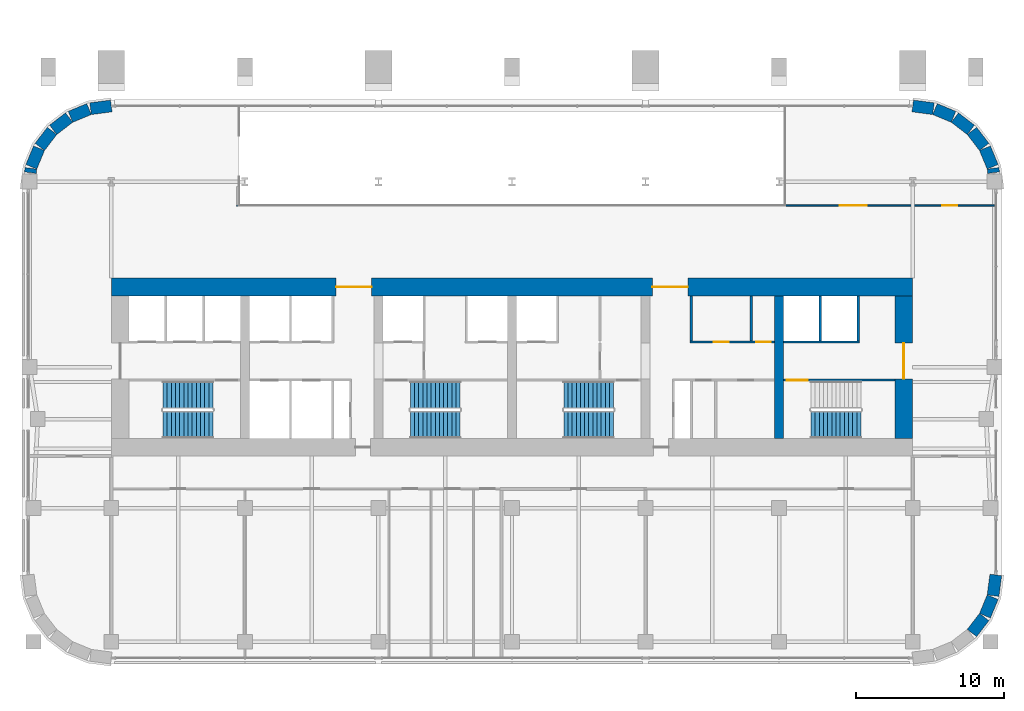
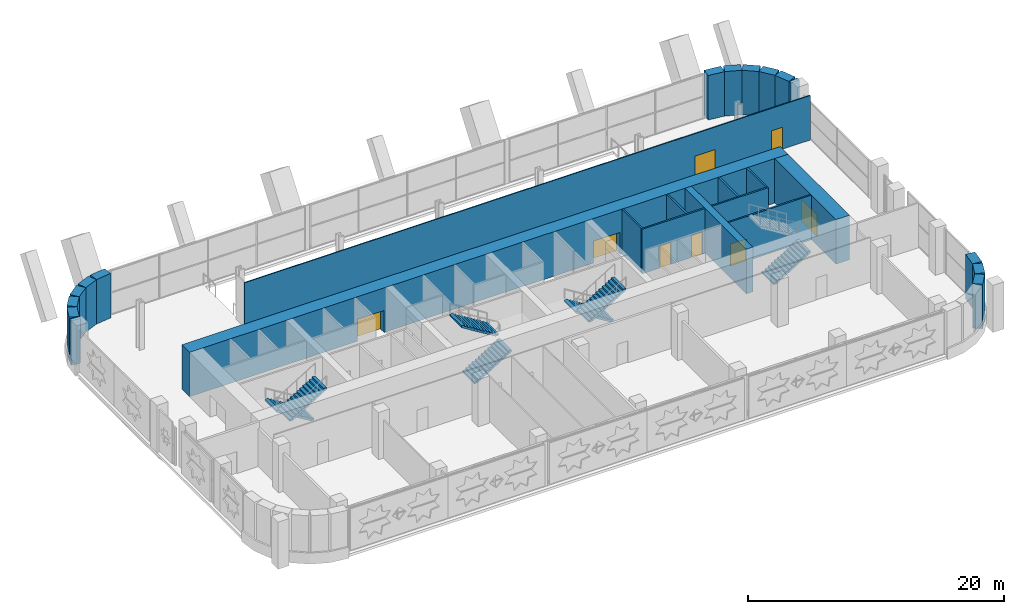
# One storey, part 15 of 21: 26 walls, 8 doors, 7 stair flights, 8 openings, 4 elements without a shape of their own.
"""IFC4 building model written with IfcOpenShell, lengths in metres."""

import ifcopenshell
import ifcopenshell.guid

model = None  # the IFC model being written
_history = None  # IfcOwnerHistory: only IFC2X3 demands one
_inside = {}  # id of a spatial element -> (the spatial element, [elements in it])
_under = {}  # id of a project, library or spatial element -> (it, [spatial elements below it])
_declared = {}  # id of a project -> (the project, [libraries it declares])
_typed = {}  # id of a type object -> (the type object, [elements of that type])
_made_of = {}  # id of a material, layer set ... -> (it, [elements and type objects made of it])


def new_model(schema):
    """Start an empty IFC model of exactly this schema.

    Asked for "IFC4X3", IfcOpenShell would pick the latest addendum, in which some entities
    have other attributes; the version numbers below select the first issue.
    IFC2X3 requires an IfcOwnerHistory on every rooted entity: one is made here for all.
    """
    global model, _history
    if schema == "IFC4X3":
        model = ifcopenshell.file(schema_version=(4, 3, 0, 0))
    else:
        model = ifcopenshell.file(schema=schema)
    _inside.clear()
    _under.clear()
    _declared.clear()
    _typed.clear()
    _made_of.clear()
    _history = None
    if model.schema == "IFC2X3":
        org = make("IfcOrganization", Name="unknown")
        user = make(
            "IfcPersonAndOrganization",
            ThePerson=make("IfcPerson", FamilyName="unknown"),
            TheOrganization=org,
        )
        app = make(
            "IfcApplication",
            ApplicationDeveloper=org,
            Version="unknown",
            ApplicationFullName="unknown",
            ApplicationIdentifier="unknown",
        )
        _history = make(
            "IfcOwnerHistory",
            OwningUser=user,
            OwningApplication=app,
            ChangeAction="ADDED",
            CreationDate=0,
        )
    return model


def make(cls, **values):
    """One entity of the class cls with the attributes given. An attribute that is None is left unset."""
    return model.create_entity(
        cls, **{name: value for name, value in values.items() if value is not None}
    )


def rooted(cls, **values):
    """An entity with a GlobalId (a new one), such as an element, a storey or a relation."""
    return make(cls, GlobalId=ifcopenshell.guid.new(), OwnerHistory=_history, **values)


def si_unit(unit_type, name, prefix=None):
    """IfcSIUnit, for example si_unit("LENGTHUNIT", "METRE", prefix="MILLI")."""
    return make("IfcSIUnit", UnitType=unit_type, Prefix=prefix, Name=name)


def assignment(units):
    """IfcUnitAssignment: the units of a project."""
    return None if units is None else make("IfcUnitAssignment", Units=units)


def point(xyz):
    """IfcCartesianPoint."""
    return None if xyz is None else make("IfcCartesianPoint", Coordinates=xyz)


def direction(xyz):
    """IfcDirection."""
    return None if xyz is None else make("IfcDirection", DirectionRatios=xyz)


def frame(location, z_axis=None, x_axis=None):
    """IfcAxis2Placement3D, a coordinate frame: its origin and axes. An axis left out is left unset."""
    return make(
        "IfcAxis2Placement3D",
        Location=point(location),
        Axis=direction(z_axis),
        RefDirection=direction(x_axis),
    )


def frame_2d(location, x_axis=None):
    """IfcAxis2Placement2D, a coordinate frame in the plane: its origin and x axis."""
    return make(
        "IfcAxis2Placement2D", Location=point(location), RefDirection=direction(x_axis)
    )


def origin():
    """The frame at (0, 0, 0) with its axes left unset."""
    return frame((0.0, 0.0, 0.0))


def place(relative_to, where):
    """IfcLocalPlacement: puts the frame where relative to a parent placement (None: the world)."""
    return make(
        "IfcLocalPlacement", PlacementRelTo=relative_to, RelativePlacement=where
    )


def context(
    kind, dimensions, precision=None, world=None, true_north=None, identifier=None
):
    """IfcGeometricRepresentationContext, for example the 3D "Model" context."""
    return make(
        "IfcGeometricRepresentationContext",
        ContextIdentifier=identifier,
        ContextType=kind,
        CoordinateSpaceDimension=dimensions,
        Precision=precision,
        WorldCoordinateSystem=world,
        TrueNorth=true_north,
    )


def subcontext(parent, identifier, kind, view, scale=None):
    """IfcGeometricRepresentationSubContext, for example "Body" below "Model"."""
    return make(
        "IfcGeometricRepresentationSubContext",
        ContextIdentifier=identifier,
        ContextType=kind,
        ParentContext=parent,
        TargetScale=scale,
        TargetView=view,
    )


def project(units=None, contexts=None):
    """IfcProject with its units and contexts."""
    return rooted(
        "IfcProject",
        Name="project",
        RepresentationContexts=contexts,
        UnitsInContext=assignment(units),
    )


def spatial(cls, under=None, at=None, **own):
    """A site, building, storey or space (cls), placed at a placement, below another one or the project."""
    s = rooted(cls, ObjectPlacement=at, **own)
    if under is not None:
        _under.setdefault(under.id(), (under, []))[1].append(s)
    return s


def polyline(points):
    """IfcPolyline through the points."""
    return make("IfcPolyline", Points=[point(p) for p in points])


def profile(cls, at=None, kind="AREA", **sizes):
    """A parametric profile (cls). Its sizes go by their IFC names, for example OverallWidth=200.0."""
    return make(cls, ProfileType=kind, Position=at, **sizes)


def rectangle(**sizes):
    """IfcRectangleProfileDef."""
    return profile("IfcRectangleProfileDef", **sizes)


def outline(outer, holes=None, kind="AREA"):
    """IfcArbitraryClosedProfileDef: a profile drawn as a closed curve; with holes, ...WithVoids."""
    if holes is None:
        return make("IfcArbitraryClosedProfileDef", ProfileType=kind, OuterCurve=outer)
    return make(
        "IfcArbitraryProfileDefWithVoids",
        ProfileType=kind,
        OuterCurve=outer,
        InnerCurves=holes,
    )


def extrude(swept, where, along, depth):
    """IfcExtrudedAreaSolid: the profile swept, set in the frame where, extruded along a direction by depth."""
    return make(
        "IfcExtrudedAreaSolid",
        SweptArea=swept,
        Position=where,
        ExtrudedDirection=direction(along),
        Depth=depth,
    )


def shape(context_of_items, identifier, shape_type, items):
    """IfcShapeRepresentation: the items that make up one representation, for example the "Body"."""
    return make(
        "IfcShapeRepresentation",
        ContextOfItems=context_of_items,
        RepresentationIdentifier=identifier,
        RepresentationType=shape_type,
        Items=items,
    )


def material(Name=None, Category=None):
    """IfcMaterial."""
    return make("IfcMaterial", Name=Name, Category=Category)


def layer(
    of_material, thickness, ventilated=None, Name=None, Category=None, Priority=None
):
    """IfcMaterialLayer: one layer of a wall or slab, of a material (None: an air gap)."""
    return make(
        "IfcMaterialLayer",
        Material=of_material,
        LayerThickness=thickness,
        IsVentilated=ventilated,
        Name=Name,
        Category=Category,
        Priority=Priority,
    )


def layer_set(layers, Name=None):
    """IfcMaterialLayerSet."""
    return make("IfcMaterialLayerSet", MaterialLayers=layers, LayerSetName=Name)


def made_of(thing, what):
    """Note that an element or type object is made of a material, layer set ...; save() writes the relation."""
    if what is not None:
        _made_of.setdefault(what.id(), (what, []))[1].append(thing)
    return thing


def type_object(cls, material=None, **own):
    """A type object (cls), such as IfcWallType, which elements share."""
    return made_of(rooted(cls, **own), material)


def element(
    cls,
    number,
    at=None,
    inside=None,
    cuts=None,
    type_object=None,
    material=None,
    context=None,
    identifier="Body",
    shape_type=None,
    held_by="IfcProductDefinitionShape",
    body=None,
    shapes=None,
    **own,
):
    """One element of the class cls, such as IfcWall. Its Tag is "e" and its number.

    at: its placement. inside: the storey or other place that contains it. cuts: it is an
    opening in that element (IfcRelVoidsElement). A single representation is given by context,
    identifier, shape_type and body (its items); several are given by shapes. held_by: the class
    of the entity that holds the representations. save() writes the other relations.
    """
    e = rooted(cls, Tag="e%d" % number, ObjectPlacement=at, **own)
    if body is not None:
        shapes = [shape(context, identifier, shape_type, body)]
    if shapes is not None:
        e.Representation = make(held_by, Representations=shapes)
    if inside is not None:
        _inside.setdefault(inside.id(), (inside, []))[1].append(e)
    if cuts is not None:
        rooted(
            "IfcRelVoidsElement", RelatingBuildingElement=cuts, RelatedOpeningElement=e
        )
    if type_object is not None:
        _typed.setdefault(type_object.id(), (type_object, []))[1].append(e)
    return made_of(e, material)


def fill(opening, filler):
    """IfcRelFillsElement: the door or window that sits in an opening."""
    return rooted(
        "IfcRelFillsElement",
        RelatingOpeningElement=opening,
        RelatedBuildingElement=filler,
    )


def aggregate(whole, parts):
    """IfcRelAggregates: a whole, such as a stair, and the parts it consists of."""
    return rooted("IfcRelAggregates", RelatingObject=whole, RelatedObjects=parts)


def save(model, path):
    """Write the relations noted so far, then the file.

    IfcRelAggregates (storeys below a building ...), IfcRelContainedInSpatialStructure (elements
    in a storey), IfcRelDefinesByType, IfcRelAssociatesMaterial and IfcRelDeclares: one each for
    every whole, place, type object, material and project.
    """
    for whole, parts in _under.values():
        aggregate(whole, parts)
    for where, things in _inside.values():
        rooted(
            "IfcRelContainedInSpatialStructure",
            RelatedElements=things,
            RelatingStructure=where,
        )
    for kind, things in _typed.values():
        rooted("IfcRelDefinesByType", RelatedObjects=things, RelatingType=kind)
    for what, things in _made_of.values():
        rooted("IfcRelAssociatesMaterial", RelatedObjects=things, RelatingMaterial=what)
    for by, libraries in _declared.values():
        rooted("IfcRelDeclares", RelatingContext=by, RelatedDefinitions=libraries)
    model.write(path)


model = new_model("IFC4")

# Units and contexts
model_context = context("Model", 3, precision=1e-05, world=origin(), true_north=direction((0.0, 1.0)))
body_context = subcontext(model_context, "Body", "Model", "MODEL_VIEW")
ifc_project = project(units=[si_unit("LENGTHUNIT", "METRE"), si_unit("AREAUNIT", "SQUARE_METRE"), si_unit("VOLUMEUNIT", "CUBIC_METRE"), si_unit("PLANEANGLEUNIT", "RADIAN"), si_unit("MASSUNIT", "GRAM", prefix="KILO")], contexts=[model_context])

# Site, building, storey
site_placement = place(None, origin())
site = spatial("IfcSite", under=ifc_project, at=site_placement, CompositionType="ELEMENT")
building_placement = place(site_placement, origin())
building = spatial("IfcBuilding", under=site, at=building_placement, Name="Zellij Exchange Tower", CompositionType="ELEMENT")
storey_placement = place(building_placement, frame((0.0, 0.0, 43.5)))
storey = spatial("IfcBuildingStorey", under=building, at=storey_placement, Name="L07", CompositionType="ELEMENT", Elevation=43.5)

# Walls
ifc_material_1 = material(Name="Concrete C70/85", Category="concrete")
ifc_layer_1 = layer(ifc_material_1, 0.60009765625)
ifc_layer_set_1 = layer_set([ifc_layer_1], Name="Concrete C70/85")
wall_type_1 = type_object("IfcWallType", Name="CORE-CW 600 C70/85", PredefinedType="SHEAR", material=ifc_layer_set_1)
wall_1_placement = place(storey_placement, frame((18.0, -12.800048828125, 0.0), z_axis=(0.0, 0.0, 1.0), x_axis=(0.0, 1.0, 0.0)))
element("IfcWall", 1, at=wall_1_placement, inside=storey, type_object=wall_type_1, Name="Core cross wall x 18 L07", PredefinedType="SHEAR", context=body_context, shape_type="SweptSolid", body=[
    extrude(rectangle(XDim=9.60009765625, YDim=0.60009765625, at=frame_2d((4.800048828125, 0.0))), origin(), (0.0, 0.0, 1.0), 4.25),
])
ifc_material_2 = material(Name="Gypsum board partition")
ifc_layer_2 = layer(ifc_material_2, 0.14990234375)
ifc_layer_set_2 = layer_set([ifc_layer_2], Name="Gypsum board partition")
wall_type_2 = type_object("IfcWallType", Name="CORE-PW 150 Lift lobby wall", PredefinedType="PARTITIONING", material=ifc_layer_set_2)
for number, where, z_axis, x_axis, name in (
    (2, (12.074951171875, -6.22509765625, 0.0), (0.0, 0.0, 1.0), (0.0, 1.0, 0.0), "Lift lobby wall L07"),
    (3, (16.125, -6.22509765625, 0.0), (0.0, 0.0, 1.0), (0.0, 1.0, 0.0), "Lift lobby wall L07"),
):
    element("IfcWall", number, at=place(storey_placement, frame(where, z_axis=z_axis, x_axis=x_axis)), inside=storey, type_object=wall_type_2, Name=name, PredefinedType="PARTITIONING", context=body_context, shape_type="SweptSolid", body=[
        extrude(rectangle(XDim=3.025146484375, YDim=0.14990234375, at=frame_2d((1.5126953125, 0.0))), origin(), (0.0, 0.0, 1.0), 4.25),
    ])

# Wall, openings, doors
wall_2_placement = place(storey_placement, frame((12.0, -6.300048828125, 0.0), z_axis=(0.0, 0.0, 1.0), x_axis=(1.0, 0.0, 0.0)))
wall_2 = element("IfcWall", 4, at=wall_2_placement, inside=storey, type_object=wall_type_2, Name="Lift lobby wall L07", PredefinedType="PARTITIONING", context=body_context, shape_type="SweptSolid", body=[
    extrude(rectangle(XDim=5.699951171875, YDim=0.14990234375, at=frame_2d((2.85009765625, 0.0))), origin(), (0.0, 0.0, 1.0), 4.25),
])
opening_1_placement = place(wall_2_placement, frame((1.60009765625, 0.0, 0.0)))
opening_1 = element("IfcOpeningElement", 5, at=opening_1_placement, cuts=wall_2, Name="Opening CA-06.24", PredefinedType="OPENING", context=body_context, shape_type="SweptSolid", body=[
    extrude(rectangle(XDim=1.0, YDim=2.10009765625, at=frame_2d((0.5, 1.050048828125))), frame((0.0, 0.0869140625, 0.0), z_axis=(0.0, -1.0, 0.0), x_axis=(1.0, 0.0, 0.0)), (0.0, 0.0, 1.0), 0.173828125),
])
opening_2_placement = place(wall_2_placement, frame((4.449951171875, 0.0, 0.0)))
opening_2 = element("IfcOpeningElement", 6, at=opening_2_placement, cuts=wall_2, Name="Opening CA-06.26", PredefinedType="OPENING", context=body_context, shape_type="SweptSolid", body=[
    extrude(rectangle(XDim=1.0, YDim=2.10009765625, at=frame_2d((0.5, 1.050048828125))), frame((0.0, 0.0869140625, 0.0), z_axis=(0.0, -1.0, 0.0), x_axis=(1.0, 0.0, 0.0)), (0.0, 0.0, 1.0), 0.173828125),
])
ifc_material_3 = material(Name="Hollow metal fire door")
door_type_1 = type_object("IfcDoorType", Name="CORE-D CD Core room door 1000x2100 1 HR", OperationType="NOTDEFINED", PredefinedType="DOOR", material=ifc_material_3)
door_1_placement = place(opening_1_placement, origin())
door_1 = element("IfcDoor", 7, at=door_1_placement, inside=storey, type_object=door_type_1, Name="Core room door CA-06.24", OperationType="SINGLE_SWING_LEFT", OverallHeight=2.10009765625, OverallWidth=1.0, PredefinedType="DOOR", context=body_context, shape_type="SweptSolid", body=[
    extrude(rectangle(XDim=1.0, YDim=2.10009765625, at=frame_2d((0.5, 1.050048828125))), frame((0.0, 0.02490234375, 0.0), z_axis=(0.0, -1.0, 0.0), x_axis=(1.0, 0.0, 0.0)), (0.0, 0.0, 1.0), 0.050048828125),
])
fill(opening_1, door_1)
door_2_placement = place(opening_2_placement, origin())
door_2 = element("IfcDoor", 8, at=door_2_placement, inside=storey, type_object=door_type_1, Name="Core room door CA-06.26", OperationType="SINGLE_SWING_RIGHT", OverallHeight=2.10009765625, OverallWidth=1.0, PredefinedType="DOOR", context=body_context, shape_type="SweptSolid", body=[
    extrude(rectangle(XDim=1.0, YDim=2.10009765625, at=frame_2d((0.5, 1.050048828125))), frame((0.0, 0.02490234375, 0.0), z_axis=(0.0, -1.0, 0.0), x_axis=(1.0, 0.0, 0.0)), (0.0, 0.0, 1.0), 0.050048828125),
])
fill(opening_2, door_2)

# Walls
ifc_material_4 = material(Name="Gypsum shaft wall system")
ifc_layer_3 = layer(ifc_material_4, 0.14990234375)
ifc_layer_set_3 = layer_set([ifc_layer_3], Name="Gypsum shaft wall system")
wall_type_3 = type_object("IfcWallType", Name="CORE-PW 150 Lift shaft wall", PredefinedType="PARTITIONING", material=ifc_layer_set_3)
for number, where, z_axis, x_axis, name in (
    (9, (20.77490234375, -6.22509765625, 0.0), (0.0, 0.0, 1.0), (0.0, 1.0, 0.0), "Lift shaft wall L07"),
    (10, (23.324951171875, -6.22509765625, 0.0), (0.0, 0.0, 1.0), (0.0, 1.0, 0.0), "Lift shaft wall L07"),
):
    element("IfcWall", number, at=place(storey_placement, frame(where, z_axis=z_axis, x_axis=x_axis)), inside=storey, type_object=wall_type_3, Name=name, PredefinedType="PARTITIONING", context=body_context, shape_type="SweptSolid", body=[
        extrude(rectangle(XDim=3.025146484375, YDim=0.14990234375, at=frame_2d((1.5126953125, 0.0))), origin(), (0.0, 0.0, 1.0), 4.25),
    ])
wall_3_placement = place(storey_placement, frame((18.300048828125, -6.300048828125, 0.0), z_axis=(0.0, 0.0, 1.0), x_axis=(1.0, 0.0, 0.0)))
element("IfcWall", 11, at=wall_3_placement, inside=storey, type_object=wall_type_3, Name="Lift shaft wall L07", PredefinedType="PARTITIONING", context=body_context, shape_type="SweptSolid", body=[
    extrude(rectangle(XDim=5.099853515625, YDim=0.14990234375, at=frame_2d((2.5498046875, 0.0))), origin(), (0.0, 0.0, 1.0), 4.25),
])

# Wall, openings, doors
ifc_layer_4 = layer(ifc_material_1, 1.199951171875)
ifc_layer_set_4 = layer_set([ifc_layer_4], Name="Concrete C70/85")
wall_type_4 = type_object("IfcWallType", Name="CORE-SW 1200 C70/85", PredefinedType="SHEAR", material=ifc_layer_set_4)
wall_4_placement = place(storey_placement, frame((-27.0, -2.60009765625, 0.0), z_axis=(0.0, 0.0, 1.0), x_axis=(1.0, 0.0, 0.0)))
wall_4 = element("IfcWall", 12, at=wall_4_placement, inside=storey, type_object=wall_type_4, Name="Core shear wall front L07", PredefinedType="SHEAR", context=body_context, shape_type="SweptSolid", body=[
    extrude(rectangle(XDim=54.0, YDim=1.199951171875, at=frame_2d((27.0, 0.0))), origin(), (0.0, 0.0, 1.0), 4.25),
])
opening_3_placement = place(wall_4_placement, frame((15.14990234375, 0.0, 0.0)))
opening_3 = element("IfcOpeningElement", 13, at=opening_3_placement, cuts=wall_4, Name="Opening CA-06.11", PredefinedType="OPENING", context=body_context, shape_type="SweptSolid", body=[
    extrude(rectangle(XDim=2.39990234375, YDim=2.10009765625, at=frame_2d((1.199951171875, 1.050048828125))), frame((0.0, 0.61181640625, 0.0), z_axis=(0.0, -1.0, 0.0), x_axis=(1.0, 0.0, 0.0)), (0.0, 0.0, 1.0), 1.223876953125),
])
opening_4_placement = place(wall_4_placement, frame((36.449951171875, 0.0, 0.0)))
opening_4 = element("IfcOpeningElement", 14, at=opening_4_placement, cuts=wall_4, Name="Opening CA-06.21", PredefinedType="OPENING", context=body_context, shape_type="SweptSolid", body=[
    extrude(rectangle(XDim=2.39990234375, YDim=2.10009765625, at=frame_2d((1.199951171875, 1.050048828125))), frame((0.0, 0.61181640625, 0.0), z_axis=(0.0, -1.0, 0.0), x_axis=(1.0, 0.0, 0.0)), (0.0, 0.0, 1.0), 1.223876953125),
])
door_type_2 = type_object("IfcDoorType", Name="CORE-D CE Core entrance door 2400x2100 20 MIN", OperationType="NOTDEFINED", PredefinedType="DOOR", material=ifc_material_3)
door_3_placement = place(opening_3_placement, origin())
door_3 = element("IfcDoor", 15, at=door_3_placement, inside=storey, type_object=door_type_2, Name="Core entrance door CA-06.11", OperationType="DOUBLE_DOOR_SINGLE_SWING", OverallHeight=2.10009765625, OverallWidth=2.39990234375, PredefinedType="DOOR", context=body_context, shape_type="SweptSolid", body=[
    extrude(rectangle(XDim=2.39990234375, YDim=2.10009765625, at=frame_2d((1.199951171875, 1.050048828125))), frame((0.0, 0.02490234375, 0.0), z_axis=(0.0, -1.0, 0.0), x_axis=(1.0, 0.0, 0.0)), (0.0, 0.0, 1.0), 0.050048828125),
])
fill(opening_3, door_3)
door_4_placement = place(opening_4_placement, origin())
door_4 = element("IfcDoor", 16, at=door_4_placement, inside=storey, type_object=door_type_2, Name="Core entrance door CA-06.21", OperationType="DOUBLE_DOOR_SINGLE_SWING", OverallHeight=2.10009765625, OverallWidth=2.39990234375, PredefinedType="DOOR", context=body_context, shape_type="SweptSolid", body=[
    extrude(rectangle(XDim=2.39990234375, YDim=2.10009765625, at=frame_2d((1.199951171875, 1.050048828125))), frame((0.0, 0.02490234375, 0.0), z_axis=(0.0, -1.0, 0.0), x_axis=(1.0, 0.0, 0.0)), (0.0, 0.0, 1.0), 0.050048828125),
])
fill(opening_4, door_4)

# Wall, opening, door
wall_5_placement = place(storey_placement, frame((26.39990234375, -12.800048828125, 0.0), z_axis=(0.0, 0.0, 1.0), x_axis=(0.0, 1.0, 0.0)))
wall_5 = element("IfcWall", 17, at=wall_5_placement, inside=storey, type_object=wall_type_4, Name="Core shear wall end e L07", PredefinedType="SHEAR", context=body_context, shape_type="SweptSolid", body=[
    extrude(rectangle(XDim=9.60009765625, YDim=1.199951171875, at=frame_2d((4.800048828125, 0.0))), origin(), (0.0, 0.0, 1.0), 4.25),
])
opening_5_placement = place(wall_5_placement, frame((4.011962890625, 0.0, 0.0)))
opening_5 = element("IfcOpeningElement", 18, at=opening_5_placement, cuts=wall_5, Name="Opening CA-06.28", PredefinedType="OPENING", context=body_context, shape_type="SweptSolid", body=[
    extrude(rectangle(XDim=2.39990234375, YDim=2.10009765625, at=frame_2d((1.199951171875, 1.050048828125))), frame((0.0, 0.61181640625, 0.0), z_axis=(0.0, -1.0, 0.0), x_axis=(1.0, 0.0, 0.0)), (0.0, 0.0, 1.0), 1.223876953125),
])
door_5_placement = place(opening_5_placement, origin())
door_5 = element("IfcDoor", 19, at=door_5_placement, inside=storey, type_object=door_type_2, Name="Core entrance door CA-06.28", OperationType="DOUBLE_DOOR_SINGLE_SWING", OverallHeight=2.10009765625, OverallWidth=2.39990234375, PredefinedType="DOOR", context=body_context, shape_type="SweptSolid", body=[
    extrude(rectangle(XDim=2.39990234375, YDim=2.10009765625, at=frame_2d((1.199951171875, 1.050048828125))), frame((0.0, 0.02490234375, 0.0), z_axis=(0.0, -1.0, 0.0), x_axis=(1.0, 0.0, 0.0)), (0.0, 0.0, 1.0), 0.050048828125),
])
fill(opening_5, door_5)

ifc_layer_5 = layer(ifc_material_1, 0.14990234375)
ifc_layer_set_5 = layer_set([ifc_layer_5], Name="Concrete C70/85")
wall_type_5 = type_object("IfcWallType", Name="CORE-SWS 150 C70/85", PredefinedType="SHEAR", material=ifc_layer_set_5)
wall_6_placement = place(storey_placement, frame((18.300048828125, -8.875, 0.0), z_axis=(0.0, 0.0, 1.0), x_axis=(1.0, 0.0, 0.0)))
wall_6 = element("IfcWall", 20, at=wall_6_placement, inside=storey, type_object=wall_type_5, Name="Stair enclosure wall L07", PredefinedType="SHEAR", context=body_context, shape_type="SweptSolid", body=[
    extrude(rectangle(XDim=7.5, YDim=0.14990234375, at=frame_2d((3.75, 0.0))), origin(), (0.0, 0.0, 1.0), 4.25),
])
opening_6_placement = place(wall_6_placement, frame((0.22509765625, 0.0, 0.0)))
opening_6 = element("IfcOpeningElement", 21, at=opening_6_placement, cuts=wall_6, Name="Opening CA-06.27", PredefinedType="OPENING", context=body_context, shape_type="SweptSolid", body=[
    extrude(rectangle(XDim=1.39990234375, YDim=2.10009765625, at=frame_2d((0.699951171875, 1.050048828125))), frame((0.0, 0.0869140625, 0.0), z_axis=(0.0, -1.0, 0.0), x_axis=(1.0, 0.0, 0.0)), (0.0, 0.0, 1.0), 0.173828125),
])
door_type_3 = type_object("IfcDoorType", Name="CORE-D SD Stair door 1400x2100 1.5 HR", OperationType="NOTDEFINED", PredefinedType="DOOR", material=ifc_material_3)
door_6_placement = place(opening_6_placement, origin())
door_6 = element("IfcDoor", 22, at=door_6_placement, inside=storey, type_object=door_type_3, Name="Stair door CA-06.27", OperationType="DOUBLE_DOOR_SINGLE_SWING", OverallHeight=2.10009765625, OverallWidth=1.39990234375, PredefinedType="DOOR", context=body_context, shape_type="SweptSolid", body=[
    extrude(rectangle(XDim=1.39990234375, YDim=2.10009765625, at=frame_2d((0.699951171875, 1.050048828125))), frame((0.0, 0.02490234375, 0.0), z_axis=(0.0, -1.0, 0.0), x_axis=(1.0, 0.0, 0.0)), (0.0, 0.0, 1.0), 0.050048828125),
])
fill(opening_6, door_6)

# Walls
ifc_material_5 = material(Name="Precast concrete C40/50", Category="concrete")
ifc_layer_6 = layer(ifc_material_5, 0.800048828125)
ifc_layer_set_6 = layer_set([ifc_layer_6], Name="Precast concrete C40/50")
wall_type_6 = type_object("IfcWallType", Name="ENV-EW1 Precast stone-piered wall 800", PredefinedType="SOLIDWALL", material=ifc_layer_set_6)
wall_7_placement = place(storey_placement, frame((30.9892578125, -25.91552734375, 0.0), z_axis=(0.0, 0.0, 1.0), x_axis=(0.608866226366, 0.793272915452, 0.0)))
element("IfcWall", 23, at=wall_7_placement, inside=storey, type_object=wall_type_6, Name="fac.L07.04", PredefinedType="SOLIDWALL", context=body_context, shape_type="SweptSolid", body=[
    extrude(rectangle(XDim=1.355712890625, YDim=0.800048828125, at=frame_2d((0.677734375, 0.0))), origin(), (0.0, 0.0, 1.0), 4.25),
])
wall_8_placement = place(storey_placement, frame((31.866943359375, -24.74951171875, 0.0), z_axis=(0.0, 0.0, 1.0), x_axis=(0.38276009378, 0.923847774587, 0.0)))
element("IfcWall", 24, at=wall_8_placement, inside=storey, type_object=wall_type_6, Name="fac.L07.05", PredefinedType="SOLIDWALL", context=body_context, shape_type="SweptSolid", body=[
    extrude(rectangle(XDim=1.35546875, YDim=0.800048828125, at=frame_2d((0.677734375, 0.0))), origin(), (0.0, 0.0, 1.0), 4.25),
])
wall_9_placement = place(storey_placement, frame((32.412841796875, -23.396240234375, 0.0), z_axis=(0.0, 0.0, 1.0), x_axis=(0.130517283865, 0.99144603414, 0.0)))
element("IfcWall", 25, at=wall_9_placement, inside=storey, type_object=wall_type_6, Name="fac.L07.06", PredefinedType="SOLIDWALL", context=body_context, shape_type="SweptSolid", body=[
    extrude(rectangle(XDim=1.408447265625, YDim=0.800048828125, at=frame_2d((0.7041015625, 0.0))), origin(), (0.0, 0.0, 1.0), 4.25),
])
wall_10_placement = place(storey_placement, frame((32.451416015625, 5.101806640625, 0.0), z_axis=(0.0, 0.0, 1.0), x_axis=(-0.129901534033, 0.991526899008, 0.0)))
element("IfcWall", 26, at=wall_10_placement, inside=storey, type_object=wall_type_6, Name="fac.L07.08", PredefinedType="SOLIDWALL", context=body_context, shape_type="SweptSolid", body=[
    extrude(rectangle(XDim=0.296875, YDim=0.800048828125, at=frame_2d((0.1484375, 0.0))), origin(), (0.0, 0.0, 1.0), 4.25),
])
wall_11_placement = place(storey_placement, frame((32.3857421875, 5.497314453125, 0.0), z_axis=(0.0, 0.0, 1.0), x_axis=(-0.38276009378, 0.923847774587, 0.0)))
element("IfcWall", 27, at=wall_11_placement, inside=storey, type_object=wall_type_6, Name="fac.L07.09", PredefinedType="SOLIDWALL", context=body_context, shape_type="SweptSolid", body=[
    extrude(rectangle(XDim=1.35546875, YDim=0.800048828125, at=frame_2d((0.677734375, 0.0))), origin(), (0.0, 0.0, 1.0), 4.25),
])
for number, where, z_axis, x_axis, name in (
    (28, (31.814697265625, 6.840087890625, 0.0), (0.0, 0.0, 1.0), (-0.608866226366, 0.793272915452, 0.0), "fac.L07.10"),
    (29, (30.91552734375, 7.9892578125, 0.0), (0.0, 0.0, 1.0), (-0.793272915452, 0.608866226366, 0.0), "fac.L07.11"),
):
    element("IfcWall", number, at=place(storey_placement, frame(where, z_axis=z_axis, x_axis=x_axis)), inside=storey, type_object=wall_type_6, Name=name, PredefinedType="SOLIDWALL", context=body_context, shape_type="SweptSolid", body=[
        extrude(rectangle(XDim=1.355712890625, YDim=0.800048828125, at=frame_2d((0.677734375, 0.0))), origin(), (0.0, 0.0, 1.0), 4.25),
    ])
wall_12_placement = place(storey_placement, frame((29.74951171875, 8.866943359375, 0.0), z_axis=(0.0, 0.0, 1.0), x_axis=(-0.923847774587, 0.38276009378, 0.0)))
element("IfcWall", 30, at=wall_12_placement, inside=storey, type_object=wall_type_6, Name="fac.L07.12", PredefinedType="SOLIDWALL", context=body_context, shape_type="SweptSolid", body=[
    extrude(rectangle(XDim=1.35546875, YDim=0.800048828125, at=frame_2d((0.677734375, 0.0))), origin(), (0.0, 0.0, 1.0), 4.25),
])
for number, where, z_axis, x_axis, name in (
    (31, (28.396240234375, 9.412841796875, 0.0), (0.0, 0.0, 1.0), (-0.99144603414, 0.130517283865, 0.0), "fac.L07.13"),
    (32, (-26.999755859375, 9.5966796875, 0.0), (0.0, 0.0, 1.0), (-0.99144603414, -0.130517283865, 0.0), "fac.L07.15"),
):
    element("IfcWall", number, at=place(storey_placement, frame(where, z_axis=z_axis, x_axis=x_axis)), inside=storey, type_object=wall_type_6, Name=name, PredefinedType="SOLIDWALL", context=body_context, shape_type="SweptSolid", body=[
        extrude(rectangle(XDim=1.408447265625, YDim=0.800048828125, at=frame_2d((0.7041015625, 0.0))), origin(), (0.0, 0.0, 1.0), 4.25),
    ])
wall_13_placement = place(storey_placement, frame((-28.497314453125, 9.3857421875, 0.0), z_axis=(0.0, 0.0, 1.0), x_axis=(-0.923847774587, -0.38276009378, 0.0)))
element("IfcWall", 33, at=wall_13_placement, inside=storey, type_object=wall_type_6, Name="fac.L07.16", PredefinedType="SOLIDWALL", context=body_context, shape_type="SweptSolid", body=[
    extrude(rectangle(XDim=1.35546875, YDim=0.800048828125, at=frame_2d((0.677734375, 0.0))), origin(), (0.0, 0.0, 1.0), 4.25),
])
for number, where, z_axis, x_axis, name in (
    (34, (-29.840087890625, 8.814697265625, 0.0), (0.0, 0.0, 1.0), (-0.793272915452, -0.608866226366, 0.0), "fac.L07.17"),
    (35, (-30.9892578125, 7.91552734375, 0.0), (0.0, 0.0, 1.0), (-0.608866226366, -0.793272915452, 0.0), "fac.L07.18"),
):
    element("IfcWall", number, at=place(storey_placement, frame(where, z_axis=z_axis, x_axis=x_axis)), inside=storey, type_object=wall_type_6, Name=name, PredefinedType="SOLIDWALL", context=body_context, shape_type="SweptSolid", body=[
        extrude(rectangle(XDim=1.355712890625, YDim=0.800048828125, at=frame_2d((0.677734375, 0.0))), origin(), (0.0, 0.0, 1.0), 4.25),
    ])
wall_14_placement = place(storey_placement, frame((-31.866943359375, 6.74951171875, 0.0), z_axis=(0.0, 0.0, 1.0), x_axis=(-0.38276009378, -0.923847774587, 0.0)))
element("IfcWall", 36, at=wall_14_placement, inside=storey, type_object=wall_type_6, Name="fac.L07.19", PredefinedType="SOLIDWALL", context=body_context, shape_type="SweptSolid", body=[
    extrude(rectangle(XDim=1.35546875, YDim=0.800048828125, at=frame_2d((0.677734375, 0.0))), origin(), (0.0, 0.0, 1.0), 4.25),
])
wall_15_placement = place(storey_placement, frame((-32.412841796875, 5.396240234375, 0.0), z_axis=(0.0, 0.0, 1.0), x_axis=(-0.129901534033, -0.991526899008, 0.0)))
element("IfcWall", 37, at=wall_15_placement, inside=storey, type_object=wall_type_6, Name="fac.L07.20", PredefinedType="SOLIDWALL", context=body_context, shape_type="SweptSolid", body=[
    extrude(rectangle(XDim=0.296875, YDim=0.800048828125, at=frame_2d((0.1484375, 0.0))), origin(), (0.0, 0.0, 1.0), 4.25),
])

# Wall, openings, doors
ifc_material_6 = material(Name="Gypsum board partition on steel studs", Category="steel")
ifc_layer_7 = layer(ifc_material_6, 0.10009765625)
ifc_layer_set_7 = layer_set([ifc_layer_7], Name="Gypsum board partition on steel studs")
wall_type_7 = type_object("IfcWallType", Name="FIT-PARTITION-100", PredefinedType="PARTITIONING", material=ifc_layer_set_7)
wall_16_placement = place(storey_placement, frame((-18.550048828125, 2.89990234375, 0.0), z_axis=(0.0, 0.0, 1.0), x_axis=(1.0, 0.0, 0.0)))
wall_16 = element("IfcWall", 38, at=wall_16_placement, inside=storey, type_object=wall_type_7, Name="FIT-PARTITION-100 019", PredefinedType="PARTITIONING", context=body_context, shape_type="SweptSolid", body=[
    extrude(rectangle(XDim=51.066162109375, YDim=0.10009765625, at=frame_2d((25.533203125, 0.0))), origin(), (0.0, 0.0, 1.0), 4.25),
])
opening_7_placement = place(wall_16_placement, frame((40.64990234375, 0.0, 0.0)))
opening_7 = element("IfcOpeningElement", 39, at=opening_7_placement, cuts=wall_16, Name="Opening G7.10", PredefinedType="OPENING", context=body_context, shape_type="SweptSolid", body=[
    extrude(rectangle(XDim=1.800048828125, YDim=2.10009765625, at=frame_2d((0.89990234375, 1.050048828125))), frame((0.0, 0.06201171875, 0.0), z_axis=(0.0, -1.0, 0.0), x_axis=(1.0, 0.0, 0.0)), (0.0, 0.0, 1.0), 0.1240234375),
])
opening_8_placement = place(wall_16_placement, frame((47.550048828125, 0.0, 0.0)))
opening_8 = element("IfcOpeningElement", 40, at=opening_8_placement, cuts=wall_16, Name="Opening G7.11", PredefinedType="OPENING", context=body_context, shape_type="SweptSolid", body=[
    extrude(rectangle(XDim=1.0, YDim=2.10009765625, at=frame_2d((0.5, 1.050048828125))), frame((0.0, 0.06201171875, 0.0), z_axis=(0.0, -1.0, 0.0), x_axis=(1.0, 0.0, 0.0)), (0.0, 0.0, 1.0), 0.1240234375),
])
ifc_material_7 = material(Name="Timber door set", Category="wood")
door_type_4 = type_object("IfcDoorType", Name="FIT-D2-WIDE-1000X2100", OperationType="SINGLE_SWING_LEFT", PredefinedType="DOOR", material=ifc_material_7)
door_7_placement = place(opening_8_placement, origin())
door_7 = element("IfcDoor", 41, at=door_7_placement, inside=storey, type_object=door_type_4, Name="Door G7.11", OperationType="SINGLE_SWING_LEFT", OverallHeight=2.10009765625, OverallWidth=1.0, PredefinedType="DOOR", context=body_context, shape_type="SweptSolid", body=[
    extrude(rectangle(XDim=1.0, YDim=2.10009765625, at=frame_2d((0.5, 1.050048828125))), frame((0.0, 0.02490234375, 0.0), z_axis=(0.0, -1.0, 0.0), x_axis=(1.0, 0.0, 0.0)), (0.0, 0.0, 1.0), 0.050048828125),
])
fill(opening_8, door_7)
door_type_5 = type_object("IfcDoorType", Name="FIT-D3-DOUBLE-1800X2100", OperationType="DOUBLE_DOOR_SINGLE_SWING", PredefinedType="DOOR", material=ifc_material_7)
door_8_placement = place(opening_7_placement, origin())
door_8 = element("IfcDoor", 42, at=door_8_placement, inside=storey, type_object=door_type_5, Name="Door G7.10", OperationType="DOUBLE_DOOR_SINGLE_SWING", OverallHeight=2.10009765625, OverallWidth=1.800048828125, PredefinedType="DOOR", context=body_context, shape_type="SweptSolid", body=[
    extrude(rectangle(XDim=1.800048828125, YDim=2.10009765625, at=frame_2d((0.89990234375, 1.050048828125))), frame((0.0, 0.02490234375, 0.0), z_axis=(0.0, -1.0, 0.0), x_axis=(1.0, 0.0, 0.0)), (0.0, 0.0, 1.0), 0.050048828125),
])
fill(opening_7, door_8)

# Stair, stair flights
ifc_material_8 = material(Name="Concrete C40/50", Category="concrete")
stair_type = type_object("IfcStairType", Name="CORE-ST exit stair 1850 wide", PredefinedType="HALF_TURN_STAIR", material=ifc_material_8)
stair_1_placement = place(storey_placement, origin())
stair_1 = element("IfcStair", 43, at=stair_1_placement, inside=storey, type_object=stair_type, Name="L07 exit stair ST1", PredefinedType="HALF_TURN_STAIR")
stair_flight_type = type_object("IfcStairFlightType", Name="CORE-SF flight 1850 riser 173.1 going 280", PredefinedType="STRAIGHT", material=ifc_material_8)
stair_flight_1_placement = place(storey_placement, frame((-20.14990234375, -9.875, 0.0), z_axis=(0.0, 0.0, 1.0), x_axis=(-1.0, 0.0, 0.0)))
stair_flight_1 = element("IfcStairFlight", 44, at=stair_flight_1_placement, type_object=stair_flight_type, Name="ST1 flight 1", NumberOfRisers=13, NumberOfTreads=12, PredefinedType="STRAIGHT", RiserHeight=0.173076923, TreadLength=0.28, context=body_context, shape_type="SweptSolid", body=[
    extrude(outline(polyline([(0.0, 0.0), (0.0, 0.173095703125), (0.280029296875, 0.173095703125), (0.280029296875, 0.34619140625), (0.56005859375, 0.34619140625), (0.56005859375, 0.519287109375), (0.840087890625, 0.519287109375), (0.840087890625, 0.6923828125), (1.1201171875, 0.6923828125), (1.1201171875, 0.865478515625), (1.39990234375, 0.865478515625), (1.39990234375, 1.03857421875), (1.679931640625, 1.03857421875), (1.679931640625, 1.21142578125), (1.9599609375, 1.21142578125), (1.9599609375, 1.384521484375), (2.239990234375, 1.384521484375), (2.239990234375, 1.5576171875), (2.52001953125, 1.5576171875), (2.52001953125, 1.730712890625), (2.800048828125, 1.730712890625), (2.800048828125, 1.90380859375), (3.080078125, 1.90380859375), (3.080078125, 2.076904296875), (3.360107421875, 2.076904296875), (3.360107421875, 2.25), (3.360107421875, 1.900634765625), (0.28515625, 0.0), (0.0, 0.0)])), frame((0.0, 0.925048828125, 0.0), z_axis=(0.0, -1.0, 0.0), x_axis=(1.0, 0.0, 0.0)), (0.0, 0.0, 1.0), 1.85009765625),
])
stair_flight_2_placement = place(storey_placement, frame((-23.510009765625, -11.875, 2.25), z_axis=(0.0, 0.0, 1.0), x_axis=(1.0, 0.0, 0.0)))
stair_flight_2 = element("IfcStairFlight", 45, at=stair_flight_2_placement, type_object=stair_flight_type, Name="ST1 flight 2", NumberOfRisers=13, NumberOfTreads=12, PredefinedType="STRAIGHT", RiserHeight=0.173076923, TreadLength=0.28, context=body_context, shape_type="SweptSolid", body=[
    extrude(outline(polyline([(0.0, 0.0), (0.0, 0.173095703125), (0.280029296875, 0.173095703125), (0.280029296875, 0.34619140625), (0.56005859375, 0.34619140625), (0.56005859375, 0.519287109375), (0.840087890625, 0.519287109375), (0.840087890625, 0.6923828125), (1.1201171875, 0.6923828125), (1.1201171875, 0.865478515625), (1.39990234375, 0.865478515625), (1.39990234375, 1.03857421875), (1.679931640625, 1.03857421875), (1.679931640625, 1.21142578125), (1.9599609375, 1.21142578125), (1.9599609375, 1.384521484375), (2.239990234375, 1.384521484375), (2.239990234375, 1.5576171875), (2.52001953125, 1.5576171875), (2.52001953125, 1.730712890625), (2.800048828125, 1.730712890625), (2.800048828125, 1.90380859375), (3.080078125, 1.90380859375), (3.080078125, 2.076904296875), (3.360107421875, 2.076904296875), (3.360107421875, 2.25), (3.360107421875, 1.900634765625), (0.28515625, 0.0), (0.0, 0.0)])), frame((0.0, 0.925048828125, 0.0), z_axis=(0.0, -1.0, 0.0), x_axis=(1.0, 0.0, 0.0)), (0.0, 0.0, 1.0), 1.85009765625),
])
aggregate(stair_1, [stair_flight_1, stair_flight_2])

stair_2_placement = place(storey_placement, origin())
stair_2 = element("IfcStair", 46, at=stair_2_placement, inside=storey, type_object=stair_type, Name="L07 exit stair ST2", PredefinedType="HALF_TURN_STAIR")
stair_flight_3_placement = place(storey_placement, frame((-6.85009765625, -11.875, 0.0), z_axis=(0.0, 0.0, 1.0), x_axis=(1.0, 0.0, 0.0)))
stair_flight_3 = element("IfcStairFlight", 47, at=stair_flight_3_placement, type_object=stair_flight_type, Name="ST2 flight 1", NumberOfRisers=13, NumberOfTreads=12, PredefinedType="STRAIGHT", RiserHeight=0.173076923, TreadLength=0.28, context=body_context, shape_type="SweptSolid", body=[
    extrude(outline(polyline([(0.0, 0.0), (0.0, 0.173095703125), (0.280029296875, 0.173095703125), (0.280029296875, 0.34619140625), (0.56005859375, 0.34619140625), (0.56005859375, 0.519287109375), (0.840087890625, 0.519287109375), (0.840087890625, 0.6923828125), (1.1201171875, 0.6923828125), (1.1201171875, 0.865478515625), (1.39990234375, 0.865478515625), (1.39990234375, 1.03857421875), (1.679931640625, 1.03857421875), (1.679931640625, 1.21142578125), (1.9599609375, 1.21142578125), (1.9599609375, 1.384521484375), (2.239990234375, 1.384521484375), (2.239990234375, 1.5576171875), (2.52001953125, 1.5576171875), (2.52001953125, 1.730712890625), (2.800048828125, 1.730712890625), (2.800048828125, 1.90380859375), (3.080078125, 1.90380859375), (3.080078125, 2.076904296875), (3.360107421875, 2.076904296875), (3.360107421875, 2.25), (3.360107421875, 1.900634765625), (0.28515625, 0.0), (0.0, 0.0)])), frame((0.0, 0.925048828125, 0.0), z_axis=(0.0, -1.0, 0.0), x_axis=(1.0, 0.0, 0.0)), (0.0, 0.0, 1.0), 1.85009765625),
])
stair_flight_4_placement = place(storey_placement, frame((-3.489990234375, -9.875, 2.25), z_axis=(0.0, 0.0, 1.0), x_axis=(-1.0, 0.0, 0.0)))
stair_flight_4 = element("IfcStairFlight", 48, at=stair_flight_4_placement, type_object=stair_flight_type, Name="ST2 flight 2", NumberOfRisers=13, NumberOfTreads=12, PredefinedType="STRAIGHT", RiserHeight=0.173076923, TreadLength=0.28, context=body_context, shape_type="SweptSolid", body=[
    extrude(outline(polyline([(0.0, 0.0), (0.0, 0.173095703125), (0.280029296875, 0.173095703125), (0.280029296875, 0.34619140625), (0.56005859375, 0.34619140625), (0.56005859375, 0.519287109375), (0.840087890625, 0.519287109375), (0.840087890625, 0.6923828125), (1.1201171875, 0.6923828125), (1.1201171875, 0.865478515625), (1.39990234375, 0.865478515625), (1.39990234375, 1.03857421875), (1.679931640625, 1.03857421875), (1.679931640625, 1.21142578125), (1.9599609375, 1.21142578125), (1.9599609375, 1.384521484375), (2.239990234375, 1.384521484375), (2.239990234375, 1.5576171875), (2.52001953125, 1.5576171875), (2.52001953125, 1.730712890625), (2.800048828125, 1.730712890625), (2.800048828125, 1.90380859375), (3.080078125, 1.90380859375), (3.080078125, 2.076904296875), (3.360107421875, 2.076904296875), (3.360107421875, 2.25), (3.360107421875, 1.900634765625), (0.28515625, 0.0), (0.0, 0.0)])), frame((0.0, 0.925048828125, 0.0), z_axis=(0.0, -1.0, 0.0), x_axis=(1.0, 0.0, 0.0)), (0.0, 0.0, 1.0), 1.85009765625),
])
aggregate(stair_2, [stair_flight_3, stair_flight_4])

stair_3_placement = place(storey_placement, origin())
stair_3 = element("IfcStair", 49, at=stair_3_placement, inside=storey, type_object=stair_type, Name="L07 exit stair ST3", PredefinedType="HALF_TURN_STAIR")
stair_flight_5_placement = place(storey_placement, frame((6.85009765625, -9.875, 0.0), z_axis=(0.0, 0.0, 1.0), x_axis=(-1.0, 0.0, 0.0)))
stair_flight_5 = element("IfcStairFlight", 50, at=stair_flight_5_placement, type_object=stair_flight_type, Name="ST3 flight 1", NumberOfRisers=13, NumberOfTreads=12, PredefinedType="STRAIGHT", RiserHeight=0.173076923, TreadLength=0.28, context=body_context, shape_type="SweptSolid", body=[
    extrude(outline(polyline([(0.0, 0.0), (0.0, 0.173095703125), (0.280029296875, 0.173095703125), (0.280029296875, 0.34619140625), (0.56005859375, 0.34619140625), (0.56005859375, 0.519287109375), (0.840087890625, 0.519287109375), (0.840087890625, 0.6923828125), (1.1201171875, 0.6923828125), (1.1201171875, 0.865478515625), (1.39990234375, 0.865478515625), (1.39990234375, 1.03857421875), (1.679931640625, 1.03857421875), (1.679931640625, 1.21142578125), (1.9599609375, 1.21142578125), (1.9599609375, 1.384521484375), (2.239990234375, 1.384521484375), (2.239990234375, 1.5576171875), (2.52001953125, 1.5576171875), (2.52001953125, 1.730712890625), (2.800048828125, 1.730712890625), (2.800048828125, 1.90380859375), (3.080078125, 1.90380859375), (3.080078125, 2.076904296875), (3.360107421875, 2.076904296875), (3.360107421875, 2.25), (3.360107421875, 1.900634765625), (0.28515625, 0.0), (0.0, 0.0)])), frame((0.0, 0.925048828125, 0.0), z_axis=(0.0, -1.0, 0.0), x_axis=(1.0, 0.0, 0.0)), (0.0, 0.0, 1.0), 1.85009765625),
])
stair_flight_6_placement = place(storey_placement, frame((3.489990234375, -11.875, 2.25), z_axis=(0.0, 0.0, 1.0), x_axis=(1.0, 0.0, 0.0)))
stair_flight_6 = element("IfcStairFlight", 51, at=stair_flight_6_placement, type_object=stair_flight_type, Name="ST3 flight 2", NumberOfRisers=13, NumberOfTreads=12, PredefinedType="STRAIGHT", RiserHeight=0.173076923, TreadLength=0.28, context=body_context, shape_type="SweptSolid", body=[
    extrude(outline(polyline([(0.0, 0.0), (0.0, 0.173095703125), (0.280029296875, 0.173095703125), (0.280029296875, 0.34619140625), (0.56005859375, 0.34619140625), (0.56005859375, 0.519287109375), (0.840087890625, 0.519287109375), (0.840087890625, 0.6923828125), (1.1201171875, 0.6923828125), (1.1201171875, 0.865478515625), (1.39990234375, 0.865478515625), (1.39990234375, 1.03857421875), (1.679931640625, 1.03857421875), (1.679931640625, 1.21142578125), (1.9599609375, 1.21142578125), (1.9599609375, 1.384521484375), (2.239990234375, 1.384521484375), (2.239990234375, 1.5576171875), (2.52001953125, 1.5576171875), (2.52001953125, 1.730712890625), (2.800048828125, 1.730712890625), (2.800048828125, 1.90380859375), (3.080078125, 1.90380859375), (3.080078125, 2.076904296875), (3.360107421875, 2.076904296875), (3.360107421875, 2.25), (3.360107421875, 1.900634765625), (0.28515625, 0.0), (0.0, 0.0)])), frame((0.0, 0.925048828125, 0.0), z_axis=(0.0, -1.0, 0.0), x_axis=(1.0, 0.0, 0.0)), (0.0, 0.0, 1.0), 1.85009765625),
])
aggregate(stair_3, [stair_flight_5, stair_flight_6])

# Stair, stair flight
stair_4_placement = place(storey_placement, origin())
stair_4 = element("IfcStair", 52, at=stair_4_placement, inside=storey, type_object=stair_type, Name="L07 exit stair ST4", PredefinedType="HALF_TURN_STAIR")
stair_flight_7_placement = place(storey_placement, frame((20.14990234375, -11.875, 0.0), z_axis=(0.0, 0.0, 1.0), x_axis=(1.0, 0.0, 0.0)))
stair_flight_7 = element("IfcStairFlight", 53, at=stair_flight_7_placement, type_object=stair_flight_type, Name="ST4 flight 1", NumberOfRisers=13, NumberOfTreads=12, PredefinedType="STRAIGHT", RiserHeight=0.173076923, TreadLength=0.28, context=body_context, shape_type="SweptSolid", body=[
    extrude(outline(polyline([(0.0, 0.0), (0.0, 0.173095703125), (0.280029296875, 0.173095703125), (0.280029296875, 0.34619140625), (0.56005859375, 0.34619140625), (0.56005859375, 0.519287109375), (0.840087890625, 0.519287109375), (0.840087890625, 0.6923828125), (1.1201171875, 0.6923828125), (1.1201171875, 0.865478515625), (1.39990234375, 0.865478515625), (1.39990234375, 1.03857421875), (1.679931640625, 1.03857421875), (1.679931640625, 1.21142578125), (1.9599609375, 1.21142578125), (1.9599609375, 1.384521484375), (2.239990234375, 1.384521484375), (2.239990234375, 1.5576171875), (2.52001953125, 1.5576171875), (2.52001953125, 1.730712890625), (2.800048828125, 1.730712890625), (2.800048828125, 1.90380859375), (3.080078125, 1.90380859375), (3.080078125, 2.076904296875), (3.360107421875, 2.076904296875), (3.360107421875, 2.25), (3.360107421875, 1.900634765625), (0.28515625, 0.0), (0.0, 0.0)])), frame((0.0, 0.925048828125, 0.0), z_axis=(0.0, -1.0, 0.0), x_axis=(1.0, 0.0, 0.0)), (0.0, 0.0, 1.0), 1.85009765625),
])
aggregate(stair_4, [stair_flight_7])

save(model, "model.ifc")
